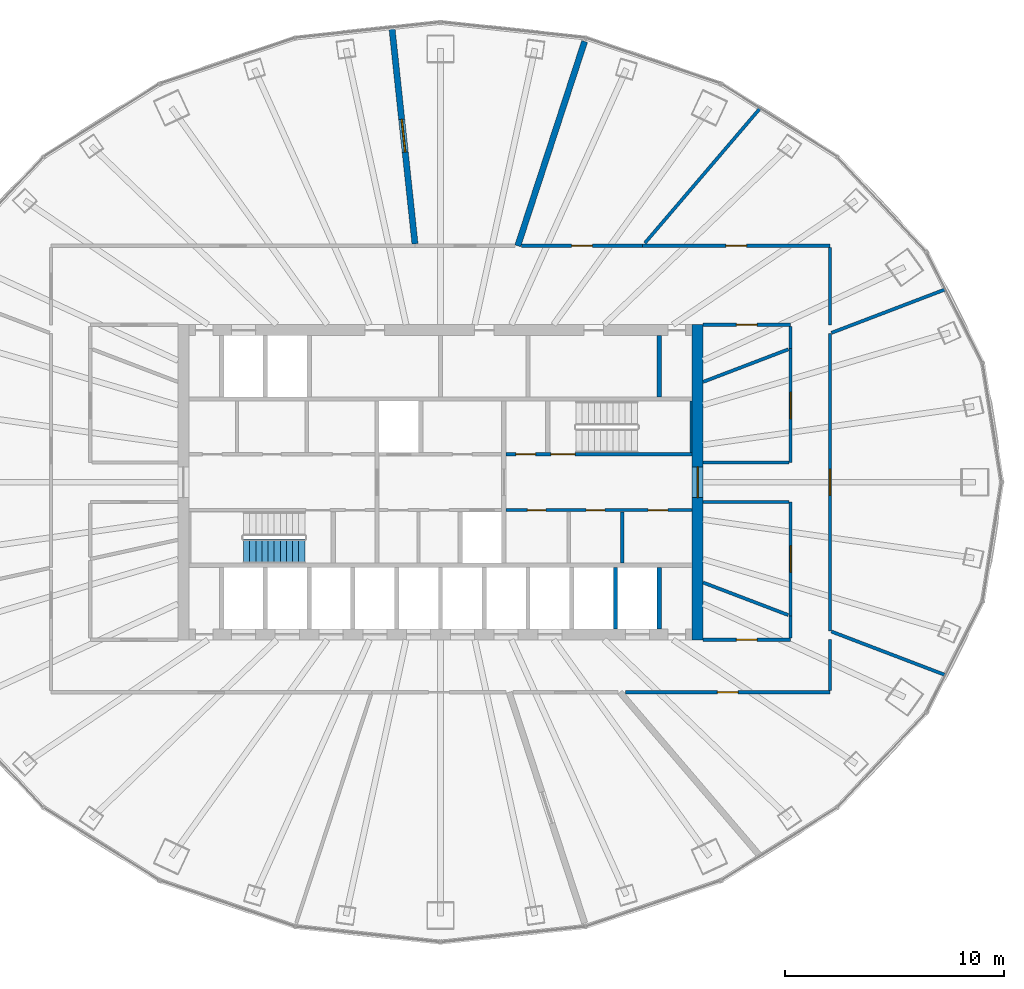
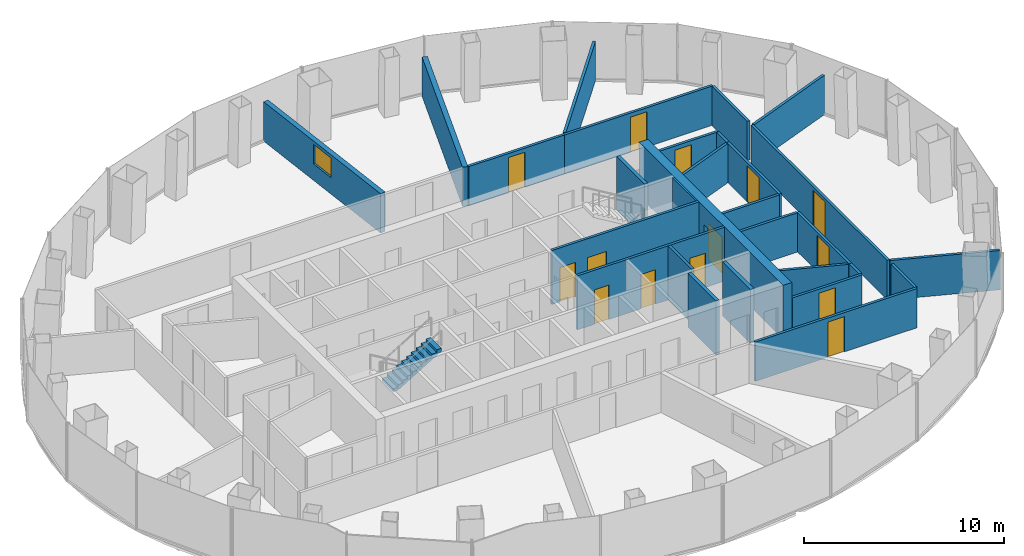
# One storey, part 10 of 12: 29 walls, 14 doors, 1 stair flight, 1 window, 15 openings, 1 element without a shape of its own.
"""IFC4 building model written with IfcOpenShell, lengths in metres."""

from ifc_helpers import new_model, si_unit, direction, frame, frame_2d, origin, place, context, subcontext, project, spatial, polyline, rectangle, outline, extrude, material, layer, layer_set, type_object, element, fill, aggregate, save


model = new_model("IFC4")

# Units and contexts
model_context = context("Model", 3, precision=1e-05, world=origin(), true_north=direction((0.0, 1.0)))
body_context = subcontext(model_context, "Body", "Model", "MODEL_VIEW")
ifc_project = project(units=[si_unit("LENGTHUNIT", "METRE"), si_unit("AREAUNIT", "SQUARE_METRE"), si_unit("VOLUMEUNIT", "CUBIC_METRE"), si_unit("PLANEANGLEUNIT", "RADIAN"), si_unit("MASSUNIT", "GRAM", prefix="KILO")], contexts=[model_context])

# Site, building, storey
site_placement = place(None, origin())
site = spatial("IfcSite", under=ifc_project, at=site_placement, CompositionType="ELEMENT")
building_placement = place(site_placement, origin())
building = spatial("IfcBuilding", under=site, at=building_placement, Name="Siaravel Broadcast Tower", CompositionType="ELEMENT")
storey_placement = place(building_placement, frame((0.0, 0.0, 115.60009765625)))
storey = spatial("IfcBuildingStorey", under=building, at=storey_placement, Name="L27", CompositionType="ELEMENT", Elevation=115.60009765625)

# Wall, opening, window
ifc_material_1 = material(Name="Double-leaf acoustic partition", Category="gypsum")
ifc_layer_1 = layer(ifc_material_1, 0.280029296875)
ifc_layer_set_1 = layer_set([ifc_layer_1], Name="Double-leaf acoustic partition")
wall_type_1 = type_object("IfcWallType", Name="Acoustic double-leaf wall 280", PredefinedType="PARTITIONING", material=ifc_layer_set_1)
wall_1_placement = place(storey_placement, frame((-2.218994140625, 20.774658203125, 0.0), z_axis=(0.0, 0.0, 1.0), x_axis=(0.106213943, -0.9943433, 0.0)))
wall_1 = element("IfcWall", 1, at=wall_1_placement, inside=storey, type_object=wall_type_1, Name="L27 partition 7", PredefinedType="PARTITIONING", context=body_context, shape_type="SweptSolid", body=[
    extrude(rectangle(XDim=9.93896484375, YDim=0.280029296875, at=frame_2d((4.969482421875, 0.0))), origin(), (0.0, 0.0, 1.0), 2.39990234375),
])
opening_1_placement = place(wall_1_placement, frame((4.219482421875, 0.0, 1.0)))
opening_1 = element("IfcOpeningElement", 2, at=opening_1_placement, cuts=wall_1, Name="Opening L27-W01", PredefinedType="OPENING", context=body_context, shape_type="SweptSolid", body=[
    extrude(rectangle(XDim=1.5, YDim=1.199951171875, at=frame_2d((0.75, 0.60009765625))), frame((0.0, 0.14990234375, 0.0), z_axis=(0.0, -1.0, 0.0), x_axis=(1.0, 0.0, 0.0)), (0.0, 0.0, 1.0), 0.300048828125),
])
ifc_material_2 = material(Name="Laminated acoustic glass", Category="glass")
window_type = type_object("IfcWindowType", Name="Studio viewing window 1500", PartitioningType="SINGLE_PANEL", PredefinedType="WINDOW", material=ifc_material_2)
window_placement = place(opening_1_placement, origin())
window = element("IfcWindow", 3, at=window_placement, inside=storey, type_object=window_type, Name="L27 viewing window to Viewing theatre", OverallHeight=1.199951171875, OverallWidth=1.5, PartitioningType="SINGLE_PANEL", PredefinedType="WINDOW", context=body_context, shape_type="SweptSolid", body=[
    extrude(rectangle(XDim=1.5, YDim=1.199951171875, at=frame_2d((0.75, 0.60009765625))), frame((0.0, 0.030029296875, 0.0), z_axis=(0.0, -1.0, 0.0), x_axis=(1.0, 0.0, 0.0)), (0.0, 0.0, 1.0), 0.06005859375),
])
fill(opening_1, window)

# Walls
wall_2_placement = place(storey_placement, frame((6.589599609375, 20.143798828125, 0.0), z_axis=(0.0, 0.0, 1.0), x_axis=(-0.310918337, -0.95043663, 0.0)))
element("IfcWall", 4, at=wall_2_placement, inside=storey, type_object=wall_type_1, Name="L27 partition 9", PredefinedType="PARTITIONING", context=body_context, shape_type="SweptSolid", body=[
    extrude(rectangle(XDim=9.8310546875, YDim=0.280029296875, at=frame_2d((4.91552734375, 0.0))), origin(), (0.0, 0.0, 1.0), 2.39990234375),
])
ifc_material_3 = material(Name="Concrete blockwork", Category="masonry")
ifc_layer_2 = layer(ifc_material_3, 0.14990234375)
ifc_layer_set_2 = layer_set([ifc_layer_2], Name="Concrete blockwork")
wall_type_2 = type_object("IfcWallType", Name="Core partition 150", PredefinedType="PARTITIONING", material=ifc_layer_set_2)
wall_3_placement = place(storey_placement, frame((8.30908203125, -3.699951171875, 0.0), z_axis=(0.0, 0.0, 1.0), x_axis=(0.0, 1.0, 0.0)))
element("IfcWall", 5, at=wall_3_placement, inside=storey, type_object=wall_type_2, Name="L27 core partition PSE1", PredefinedType="PARTITIONING", context=body_context, shape_type="SweptSolid", body=[
    extrude(rectangle(XDim=2.349853515625, YDim=0.14990234375, at=frame_2d((1.1748046875, 0.0))), origin(), (0.0, 0.0, 1.0), 3.2998046875),
])

# Wall, opening, door
ifc_material_4 = material(Name="Concrete C60/75", Category="concrete")
ifc_layer_3 = layer(ifc_material_4, 0.5)
ifc_layer_set_3 = layer_set([ifc_layer_3], Name="Concrete C60/75")
wall_type_3 = type_object("IfcWallType", Name="Core wall 500", PredefinedType="SHEAR", material=ifc_layer_set_3)
wall_4_placement = place(storey_placement, frame((11.75, -7.199951171875, 0.0), z_axis=(0.0, 0.0, 1.0), x_axis=(0.0, 1.0, 0.0)))
wall_4 = element("IfcWall", 6, at=wall_4_placement, inside=storey, type_object=wall_type_3, Name="L27 core wall OE", PredefinedType="SHEAR", context=body_context, shape_type="SweptSolid", body=[
    extrude(rectangle(XDim=14.39990234375, YDim=0.5, at=frame_2d((7.199951171875, 0.0))), origin(), (0.0, 0.0, 1.0), 3.2998046875),
])
opening_2_placement = place(wall_4_placement, frame((6.5, 0.0, 0.0)))
opening_2 = element("IfcOpeningElement", 7, at=opening_2_placement, cuts=wall_4, Name="Opening L27-DX-E", PredefinedType="OPENING", context=body_context, shape_type="SweptSolid", body=[
    extrude(rectangle(XDim=1.39990234375, YDim=2.199951171875, at=frame_2d((0.699951171875, 1.10009765625))), frame((0.0, 0.260009765625, 0.0), z_axis=(0.0, -1.0, 0.0), x_axis=(1.0, 0.0, 0.0)), (0.0, 0.0, 1.0), 0.52001953125),
])
ifc_material_5 = material(Name="Steel", Category="steel")
door_type_1 = type_object("IfcDoorType", Name="Core exit door 1400", OperationType="DOUBLE_DOOR_SINGLE_SWING", PredefinedType="DOOR", material=ifc_material_5)
door_1_placement = place(opening_2_placement, origin())
door_1 = element("IfcDoor", 8, at=door_1_placement, inside=storey, type_object=door_type_1, Name="L27 door DX-E", OperationType="DOUBLE_DOOR_SINGLE_SWING", OverallHeight=2.199951171875, OverallWidth=1.39990234375, PredefinedType="DOOR", context=body_context, shape_type="SweptSolid", body=[
    extrude(rectangle(XDim=1.39990234375, YDim=2.199951171875, at=frame_2d((0.699951171875, 1.10009765625))), frame((0.0, 0.02490234375, 0.0), z_axis=(0.0, -1.0, 0.0), x_axis=(1.0, 0.0, 0.0)), (0.0, 0.0, 1.0), 0.050048828125),
])
fill(opening_2, door_1)

# Wall, openings, doors
ifc_material_6 = material(Name="Gypsum board partition", Category="gypsum")
ifc_layer_4 = layer(ifc_material_6, 0.14990234375)
ifc_layer_set_4 = layer_set([ifc_layer_4], Name="Gypsum board partition")
wall_type_4 = type_object("IfcWallType", Name="Corridor wall 150", PredefinedType="PARTITIONING", material=ifc_layer_set_4)
wall_5_placement = place(storey_placement, frame((3.0, -1.27490234375, 0.0), z_axis=(0.0, 0.0, 1.0), x_axis=(1.0, 0.0, 0.0)))
wall_5 = element("IfcWall", 9, at=wall_5_placement, inside=storey, type_object=wall_type_4, Name="L27 core partition CSE", PredefinedType="PARTITIONING", context=body_context, shape_type="SweptSolid", body=[
    extrude(rectangle(XDim=8.5, YDim=0.14990234375, at=frame_2d((4.25, 0.0))), origin(), (0.0, 0.0, 1.0), 3.2998046875),
])
opening_3_placement = place(wall_5_placement, frame((0.968994140625, 0.0, 0.0)))
opening_3 = element("IfcOpeningElement", 10, at=opening_3_placement, cuts=wall_5, Name="Opening L27-DSE0", PredefinedType="OPENING", context=body_context, shape_type="SweptSolid", body=[
    extrude(rectangle(XDim=0.85009765625, YDim=2.10009765625, at=frame_2d((0.425048828125, 1.050048828125))), frame((0.0, 0.0849609375, 0.0), z_axis=(0.0, -1.0, 0.0), x_axis=(1.0, 0.0, 0.0)), (0.0, 0.0, 1.0), 0.169921875),
])
opening_4_placement = place(wall_5_placement, frame((3.660888671875, 0.0, 0.0)))
opening_4 = element("IfcOpeningElement", 11, at=opening_4_placement, cuts=wall_5, Name="Opening L27-DSE1", PredefinedType="OPENING", context=body_context, shape_type="SweptSolid", body=[
    extrude(rectangle(XDim=0.85009765625, YDim=2.10009765625, at=frame_2d((0.425048828125, 1.050048828125))), frame((0.0, 0.0849609375, 0.0), z_axis=(0.0, -1.0, 0.0), x_axis=(1.0, 0.0, 0.0)), (0.0, 0.0, 1.0), 0.169921875),
])
opening_5_placement = place(wall_5_placement, frame((6.491943359375, 0.0, 0.0)))
opening_5 = element("IfcOpeningElement", 12, at=opening_5_placement, cuts=wall_5, Name="Opening L27-DSE2", PredefinedType="OPENING", context=body_context, shape_type="SweptSolid", body=[
    extrude(rectangle(XDim=0.89990234375, YDim=2.10009765625, at=frame_2d((0.449951171875, 1.050048828125))), frame((0.0, 0.0849609375, 0.0), z_axis=(0.0, -1.0, 0.0), x_axis=(1.0, 0.0, 0.0)), (0.0, 0.0, 1.0), 0.169921875),
])
ifc_material_7 = material(Name="Timber veneer", Category="wood")
door_type_2 = type_object("IfcDoorType", Name="Core room door 900", OperationType="SINGLE_SWING_LEFT", PredefinedType="DOOR", material=ifc_material_7)
door_2_placement = place(opening_5_placement, origin())
door_2 = element("IfcDoor", 13, at=door_2_placement, inside=storey, type_object=door_type_2, Name="L27 door DSE2", OperationType="SINGLE_SWING_LEFT", OverallHeight=2.10009765625, OverallWidth=0.89990234375, PredefinedType="DOOR", context=body_context, shape_type="SweptSolid", body=[
    extrude(rectangle(XDim=0.89990234375, YDim=2.10009765625, at=frame_2d((0.449951171875, 1.050048828125))), frame((0.0, 0.02490234375, 0.0), z_axis=(0.0, -1.0, 0.0), x_axis=(1.0, 0.0, 0.0)), (0.0, 0.0, 1.0), 0.050048828125),
])
fill(opening_5, door_2)
door_type_3 = type_object("IfcDoorType", Name="Core toilet door 850", OperationType="SINGLE_SWING_LEFT", PredefinedType="DOOR", material=ifc_material_7)
door_3_placement = place(opening_3_placement, origin())
door_3 = element("IfcDoor", 14, at=door_3_placement, inside=storey, type_object=door_type_3, Name="L27 door DSE0", OperationType="SINGLE_SWING_LEFT", OverallHeight=2.10009765625, OverallWidth=0.85009765625, PredefinedType="DOOR", context=body_context, shape_type="SweptSolid", body=[
    extrude(rectangle(XDim=0.85009765625, YDim=2.10009765625, at=frame_2d((0.425048828125, 1.050048828125))), frame((0.0, 0.02490234375, 0.0), z_axis=(0.0, -1.0, 0.0), x_axis=(1.0, 0.0, 0.0)), (0.0, 0.0, 1.0), 0.050048828125),
])
fill(opening_3, door_3)
door_4_placement = place(opening_4_placement, origin())
door_4 = element("IfcDoor", 15, at=door_4_placement, inside=storey, type_object=door_type_3, Name="L27 door DSE1", OperationType="SINGLE_SWING_LEFT", OverallHeight=2.10009765625, OverallWidth=0.85009765625, PredefinedType="DOOR", context=body_context, shape_type="SweptSolid", body=[
    extrude(rectangle(XDim=0.85009765625, YDim=2.10009765625, at=frame_2d((0.425048828125, 1.050048828125))), frame((0.0, 0.02490234375, 0.0), z_axis=(0.0, -1.0, 0.0), x_axis=(1.0, 0.0, 0.0)), (0.0, 0.0, 1.0), 0.050048828125),
])
fill(opening_4, door_4)

# Wall, opening, door
wall_6_placement = place(storey_placement, frame((17.800048828125, -6.798828125, 0.0), z_axis=(0.0, 0.0, 1.0), x_axis=(0.0, 1.0, 0.0)))
wall_6 = element("IfcWall", 16, at=wall_6_placement, inside=storey, type_object=wall_type_4, Name="L27 partition 3", PredefinedType="PARTITIONING", context=body_context, shape_type="SweptSolid", body=[
    extrude(rectangle(XDim=13.59765625, YDim=0.14990234375, at=frame_2d((6.798828125, 0.0))), origin(), (0.0, 0.0, 1.0), 2.39990234375),
])
opening_6_placement = place(wall_6_placement, frame((6.19873046875, 0.0, 0.0)))
opening_6 = element("IfcOpeningElement", 17, at=opening_6_placement, cuts=wall_6, Name="Opening L27-005", PredefinedType="OPENING", context=body_context, shape_type="SweptSolid", body=[
    extrude(rectangle(XDim=1.199951171875, YDim=2.199951171875, at=frame_2d((0.60009765625, 1.10009765625))), frame((0.0, 0.0849609375, 0.0), z_axis=(0.0, -1.0, 0.0), x_axis=(1.0, 0.0, 0.0)), (0.0, 0.0, 1.0), 0.169921875),
])
door_type_4 = type_object("IfcDoorType", Name="Office double door 1200", OperationType="DOUBLE_DOOR_SINGLE_SWING", PredefinedType="DOOR", material=ifc_material_7)
door_5_placement = place(opening_6_placement, origin())
door_5 = element("IfcDoor", 18, at=door_5_placement, inside=storey, type_object=door_type_4, Name="L27 door to Open plan production office", OperationType="DOUBLE_DOOR_SINGLE_SWING", OverallHeight=2.199951171875, OverallWidth=1.199951171875, PredefinedType="DOOR", context=body_context, shape_type="SweptSolid", body=[
    extrude(rectangle(XDim=1.199951171875, YDim=2.199951171875, at=frame_2d((0.60009765625, 1.10009765625))), frame((0.0, 0.02490234375, 0.0), z_axis=(0.0, -1.0, 0.0), x_axis=(1.0, 0.0, 0.0)), (0.0, 0.0, 1.0), 0.050048828125),
])
fill(opening_6, door_5)

wall_7_placement = place(storey_placement, frame((8.456787109375, -9.60009765625, 0.0), z_axis=(0.0, 0.0, 1.0), x_axis=(1.0, 0.0, 0.0)))
wall_7 = element("IfcWall", 19, at=wall_7_placement, inside=storey, type_object=wall_type_4, Name="L27 partition 10", PredefinedType="PARTITIONING", context=body_context, shape_type="SweptSolid", body=[
    extrude(rectangle(XDim=9.34326171875, YDim=0.14990234375, at=frame_2d((4.671630859375, 0.0))), origin(), (0.0, 0.0, 1.0), 2.39990234375),
])
opening_7_placement = place(wall_7_placement, frame((4.196533203125, 0.0, 0.0)))
opening_7 = element("IfcOpeningElement", 20, at=opening_7_placement, cuts=wall_7, Name="Opening L27-002", PredefinedType="OPENING", context=body_context, shape_type="SweptSolid", body=[
    extrude(rectangle(XDim=0.949951171875, YDim=2.14990234375, at=frame_2d((0.47509765625, 1.074951171875))), frame((0.0, 0.0849609375, 0.0), z_axis=(0.0, -1.0, 0.0), x_axis=(1.0, 0.0, 0.0)), (0.0, 0.0, 1.0), 0.169921875),
])
door_type_5 = type_object("IfcDoorType", Name="Office door 950", OperationType="SINGLE_SWING_LEFT", PredefinedType="DOOR", material=ifc_material_7)
door_6_placement = place(opening_7_placement, origin())
door_6 = element("IfcDoor", 21, at=door_6_placement, inside=storey, type_object=door_type_5, Name="L27 door to Design studio", OperationType="SINGLE_SWING_RIGHT", OverallHeight=2.14990234375, OverallWidth=0.949951171875, PredefinedType="DOOR", context=body_context, shape_type="SweptSolid", body=[
    extrude(rectangle(XDim=0.949951171875, YDim=2.14990234375, at=frame_2d((0.47509765625, 1.074951171875))), frame((0.0, 0.02490234375, 0.0), z_axis=(0.0, -1.0, 0.0), x_axis=(1.0, 0.0, 0.0)), (0.0, 0.0, 1.0), 0.050048828125),
])
fill(opening_7, door_6)

wall_8_placement = place(storey_placement, frame((17.800048828125, 10.800048828125, 0.0), z_axis=(0.0, 0.0, 1.0), x_axis=(-1.0, 0.0, 0.0)))
wall_8 = element("IfcWall", 22, at=wall_8_placement, inside=storey, type_object=wall_type_4, Name="L27 partition 11", PredefinedType="PARTITIONING", context=body_context, shape_type="SweptSolid", body=[
    extrude(rectangle(XDim=8.56787109375, YDim=0.14990234375, at=frame_2d((4.283935546875, 0.0))), origin(), (0.0, 0.0, 1.0), 2.39990234375),
])
opening_8_placement = place(wall_8_placement, frame((3.808837890625, 0.0, 0.0)))
opening_8 = element("IfcOpeningElement", 23, at=opening_8_placement, cuts=wall_8, Name="Opening L27-007", PredefinedType="OPENING", context=body_context, shape_type="SweptSolid", body=[
    extrude(rectangle(XDim=0.949951171875, YDim=2.14990234375, at=frame_2d((0.47509765625, 1.074951171875))), frame((0.0, 0.0849609375, 0.0), z_axis=(0.0, -1.0, 0.0), x_axis=(1.0, 0.0, 0.0)), (0.0, 0.0, 1.0), 0.169921875),
])
door_7_placement = place(opening_8_placement, origin())
door_7 = element("IfcDoor", 24, at=door_7_placement, inside=storey, type_object=door_type_5, Name="L27 door to Design studio", OperationType="SINGLE_SWING_LEFT", OverallHeight=2.14990234375, OverallWidth=0.949951171875, PredefinedType="DOOR", context=body_context, shape_type="SweptSolid", body=[
    extrude(rectangle(XDim=0.949951171875, YDim=2.14990234375, at=frame_2d((0.47509765625, 1.074951171875))), frame((0.0, 0.02490234375, 0.0), z_axis=(0.0, -1.0, 0.0), x_axis=(1.0, 0.0, 0.0)), (0.0, 0.0, 1.0), 0.050048828125),
])
fill(opening_8, door_7)

wall_9_placement = place(storey_placement, frame((9.231201171875, 10.800048828125, 0.0), z_axis=(0.0, 0.0, 1.0), x_axis=(-1.0, 0.0, 0.0)))
wall_9 = element("IfcWall", 25, at=wall_9_placement, inside=storey, type_object=wall_type_4, Name="L27 partition 15", PredefinedType="PARTITIONING", context=body_context, shape_type="SweptSolid", body=[
    extrude(rectangle(XDim=5.5244140625, YDim=0.14990234375, at=frame_2d((2.76220703125, 0.0))), origin(), (0.0, 0.0, 1.0), 2.39990234375),
])
opening_9_placement = place(wall_9_placement, frame((2.287109375, 0.0, 0.0)))
opening_9 = element("IfcOpeningElement", 26, at=opening_9_placement, cuts=wall_9, Name="Opening L27-008", PredefinedType="OPENING", context=body_context, shape_type="SweptSolid", body=[
    extrude(rectangle(XDim=0.949951171875, YDim=2.14990234375, at=frame_2d((0.47509765625, 1.074951171875))), frame((0.0, 0.0849609375, 0.0), z_axis=(0.0, -1.0, 0.0), x_axis=(1.0, 0.0, 0.0)), (0.0, 0.0, 1.0), 0.169921875),
])
door_8_placement = place(opening_9_placement, origin())
door_8 = element("IfcDoor", 27, at=door_8_placement, inside=storey, type_object=door_type_5, Name="L27 door to Production office", OperationType="SINGLE_SWING_RIGHT", OverallHeight=2.14990234375, OverallWidth=0.949951171875, PredefinedType="DOOR", context=body_context, shape_type="SweptSolid", body=[
    extrude(rectangle(XDim=0.949951171875, YDim=2.14990234375, at=frame_2d((0.47509765625, 1.074951171875))), frame((0.0, 0.02490234375, 0.0), z_axis=(0.0, -1.0, 0.0), x_axis=(1.0, 0.0, 0.0)), (0.0, 0.0, 1.0), 0.050048828125),
])
fill(opening_9, door_8)

wall_10_placement = place(storey_placement, frame((16.0, -0.89990234375, 0.0), z_axis=(0.0, 0.0, 1.0), x_axis=(0.0, -1.0, 0.0)))
wall_10 = element("IfcWall", 28, at=wall_10_placement, inside=storey, type_object=wall_type_4, Name="L27 partition 20", PredefinedType="PARTITIONING", context=body_context, shape_type="SweptSolid", body=[
    extrude(rectangle(XDim=5.21142578125, YDim=0.14990234375, at=frame_2d((2.605712890625, 0.0))), origin(), (0.0, 0.0, 1.0), 2.39990234375),
])
opening_10_placement = place(wall_10_placement, frame((2.005615234375, 0.0, 0.0)))
opening_10 = element("IfcOpeningElement", 29, at=opening_10_placement, cuts=wall_10, Name="Opening L27-003", PredefinedType="OPENING", context=body_context, shape_type="SweptSolid", body=[
    extrude(rectangle(XDim=1.199951171875, YDim=2.199951171875, at=frame_2d((0.60009765625, 1.10009765625))), frame((0.0, 0.0849609375, 0.0), z_axis=(0.0, -1.0, 0.0), x_axis=(1.0, 0.0, 0.0)), (0.0, 0.0, 1.0), 0.169921875),
])
door_9_placement = place(opening_10_placement, origin())
door_9 = element("IfcDoor", 30, at=door_9_placement, inside=storey, type_object=door_type_4, Name="L27 door to Open plan production office", OperationType="DOUBLE_DOOR_SINGLE_SWING", OverallHeight=2.199951171875, OverallWidth=1.199951171875, PredefinedType="DOOR", context=body_context, shape_type="SweptSolid", body=[
    extrude(rectangle(XDim=1.199951171875, YDim=2.199951171875, at=frame_2d((0.60009765625, 1.10009765625))), frame((0.0, 0.02490234375, 0.0), z_axis=(0.0, -1.0, 0.0), x_axis=(1.0, 0.0, 0.0)), (0.0, 0.0, 1.0), 0.050048828125),
])
fill(opening_10, door_9)

wall_11_placement = place(storey_placement, frame((16.0, 6.111328125, 0.0), z_axis=(0.0, 0.0, 1.0), x_axis=(0.0, -1.0, 0.0)))
wall_11 = element("IfcWall", 31, at=wall_11_placement, inside=storey, type_object=wall_type_4, Name="L27 partition 21", PredefinedType="PARTITIONING", context=body_context, shape_type="SweptSolid", body=[
    extrude(rectangle(XDim=5.21142578125, YDim=0.14990234375, at=frame_2d((2.605712890625, 0.0))), origin(), (0.0, 0.0, 1.0), 2.39990234375),
])
opening_11_placement = place(wall_11_placement, frame((2.005615234375, 0.0, 0.0)))
opening_11 = element("IfcOpeningElement", 32, at=opening_11_placement, cuts=wall_11, Name="Opening L27-004", PredefinedType="OPENING", context=body_context, shape_type="SweptSolid", body=[
    extrude(rectangle(XDim=1.199951171875, YDim=2.199951171875, at=frame_2d((0.60009765625, 1.10009765625))), frame((0.0, 0.0849609375, 0.0), z_axis=(0.0, -1.0, 0.0), x_axis=(1.0, 0.0, 0.0)), (0.0, 0.0, 1.0), 0.169921875),
])
door_10_placement = place(opening_11_placement, origin())
door_10 = element("IfcDoor", 33, at=door_10_placement, inside=storey, type_object=door_type_4, Name="L27 door to Open plan production office", OperationType="DOUBLE_DOOR_SINGLE_SWING", OverallHeight=2.199951171875, OverallWidth=1.199951171875, PredefinedType="DOOR", context=body_context, shape_type="SweptSolid", body=[
    extrude(rectangle(XDim=1.199951171875, YDim=2.199951171875, at=frame_2d((0.60009765625, 1.10009765625))), frame((0.0, 0.02490234375, 0.0), z_axis=(0.0, -1.0, 0.0), x_axis=(1.0, 0.0, 0.0)), (0.0, 0.0, 1.0), 0.050048828125),
])
fill(opening_11, door_10)

# Wall
wall_12_placement = place(storey_placement, frame((12.0, -0.89990234375, 0.0), z_axis=(0.0, 0.0, 1.0), x_axis=(1.0, 0.0, 0.0)))
element("IfcWall", 34, at=wall_12_placement, inside=storey, type_object=wall_type_4, Name="L27 partition 32", PredefinedType="PARTITIONING", context=body_context, shape_type="SweptSolid", body=[
    extrude(rectangle(XDim=3.923095703125, YDim=0.14990234375, at=frame_2d((1.96142578125, 0.0))), origin(), (0.0, 0.0, 1.0), 2.39990234375),
])

# Wall, opening, door
wall_13_placement = place(storey_placement, frame((12.0, 7.199951171875, 0.0), z_axis=(0.0, 0.0, 1.0), x_axis=(1.0, 0.0, 0.0)))
wall_13 = element("IfcWall", 35, at=wall_13_placement, inside=storey, type_object=wall_type_4, Name="L27 partition 33", PredefinedType="PARTITIONING", context=body_context, shape_type="SweptSolid", body=[
    extrude(rectangle(XDim=4.0, YDim=0.14990234375, at=frame_2d((2.0, 0.0))), origin(), (0.0, 0.0, 1.0), 2.39990234375),
])
opening_12_placement = place(wall_13_placement, frame((1.52490234375, 0.0, 0.0)))
opening_12 = element("IfcOpeningElement", 36, at=opening_12_placement, cuts=wall_13, Name="Opening L27-006", PredefinedType="OPENING", context=body_context, shape_type="SweptSolid", body=[
    extrude(rectangle(XDim=0.949951171875, YDim=2.14990234375, at=frame_2d((0.47509765625, 1.074951171875))), frame((0.0, 0.0849609375, 0.0), z_axis=(0.0, -1.0, 0.0), x_axis=(1.0, 0.0, 0.0)), (0.0, 0.0, 1.0), 0.169921875),
])
door_11_placement = place(opening_12_placement, origin())
door_11 = element("IfcDoor", 37, at=door_11_placement, inside=storey, type_object=door_type_5, Name="L27 door to Design studio", OperationType="SINGLE_SWING_RIGHT", OverallHeight=2.14990234375, OverallWidth=0.949951171875, PredefinedType="DOOR", context=body_context, shape_type="SweptSolid", body=[
    extrude(rectangle(XDim=0.949951171875, YDim=2.14990234375, at=frame_2d((0.47509765625, 1.074951171875))), frame((0.0, 0.02490234375, 0.0), z_axis=(0.0, -1.0, 0.0), x_axis=(1.0, 0.0, 0.0)), (0.0, 0.0, 1.0), 0.050048828125),
])
fill(opening_12, door_11)

wall_14_placement = place(storey_placement, frame((16.0, -7.199951171875, 0.0), z_axis=(0.0, 0.0, 1.0), x_axis=(-1.0, 0.0, 0.0)))
wall_14 = element("IfcWall", 38, at=wall_14_placement, inside=storey, type_object=wall_type_4, Name="L27 partition 34", PredefinedType="PARTITIONING", context=body_context, shape_type="SweptSolid", body=[
    extrude(rectangle(XDim=4.0, YDim=0.14990234375, at=frame_2d((2.0, 0.0))), origin(), (0.0, 0.0, 1.0), 2.39990234375),
])
opening_13_placement = place(wall_14_placement, frame((1.52490234375, 0.0, 0.0)))
opening_13 = element("IfcOpeningElement", 39, at=opening_13_placement, cuts=wall_14, Name="Opening L27-001", PredefinedType="OPENING", context=body_context, shape_type="SweptSolid", body=[
    extrude(rectangle(XDim=0.949951171875, YDim=2.14990234375, at=frame_2d((0.47509765625, 1.074951171875))), frame((0.0, 0.0849609375, 0.0), z_axis=(0.0, -1.0, 0.0), x_axis=(1.0, 0.0, 0.0)), (0.0, 0.0, 1.0), 0.169921875),
])
door_12_placement = place(opening_13_placement, origin())
door_12 = element("IfcDoor", 40, at=door_12_placement, inside=storey, type_object=door_type_5, Name="L27 door to Design studio", OperationType="SINGLE_SWING_LEFT", OverallHeight=2.14990234375, OverallWidth=0.949951171875, PredefinedType="DOOR", context=body_context, shape_type="SweptSolid", body=[
    extrude(rectangle(XDim=0.949951171875, YDim=2.14990234375, at=frame_2d((0.47509765625, 1.074951171875))), frame((0.0, 0.02490234375, 0.0), z_axis=(0.0, -1.0, 0.0), x_axis=(1.0, 0.0, 0.0)), (0.0, 0.0, 1.0), 0.050048828125),
])
fill(opening_13, door_12)

# Walls
wall_15_placement = place(storey_placement, frame((15.923095703125, 0.89990234375, 0.0), z_axis=(0.0, 0.0, 1.0), x_axis=(-1.0, 0.0, 0.0)))
element("IfcWall", 41, at=wall_15_placement, inside=storey, type_object=wall_type_4, Name="L27 partition 35", PredefinedType="PARTITIONING", context=body_context, shape_type="SweptSolid", body=[
    extrude(rectangle(XDim=3.923095703125, YDim=0.14990234375, at=frame_2d((1.96142578125, 0.0))), origin(), (0.0, 0.0, 1.0), 2.39990234375),
])
wall_16_placement = place(storey_placement, frame((17.800048828125, 7.18798828125, 0.0), z_axis=(0.0, 0.0, 1.0), x_axis=(0.0, 1.0, 0.0)))
element("IfcWall", 42, at=wall_16_placement, inside=storey, type_object=wall_type_4, Name="L27 partition 38", PredefinedType="PARTITIONING", context=body_context, shape_type="SweptSolid", body=[
    extrude(rectangle(XDim=3.534912109375, YDim=0.14990234375, at=frame_2d((1.767578125, 0.0))), origin(), (0.0, 0.0, 1.0), 2.39990234375),
])
wall_17_placement = place(storey_placement, frame((17.800048828125, -9.52294921875, 0.0), z_axis=(0.0, 0.0, 1.0), x_axis=(0.0, 1.0, 0.0)))
element("IfcWall", 43, at=wall_17_placement, inside=storey, type_object=wall_type_4, Name="L27 partition 42", PredefinedType="PARTITIONING", context=body_context, shape_type="SweptSolid", body=[
    extrude(rectangle(XDim=2.3349609375, YDim=0.14990234375, at=frame_2d((1.16748046875, 0.0))), origin(), (0.0, 0.0, 1.0), 2.39990234375),
])
for number, where, z_axis, x_axis, name in (
    (44, (16.0, -6.1123046875, 0.0), (0.0, 0.0, 1.0), (0.0, -1.0, 0.0), "L27 partition 44"),
    (45, (16.0, 7.123046875, 0.0), (0.0, 0.0, 1.0), (0.0, -1.0, 0.0), "L27 partition 45"),
):
    element("IfcWall", number, at=place(storey_placement, frame(where, z_axis=z_axis, x_axis=x_axis)), inside=storey, type_object=wall_type_4, Name=name, PredefinedType="PARTITIONING", context=body_context, shape_type="SweptSolid", body=[
        extrude(rectangle(XDim=1.0107421875, YDim=0.14990234375, at=frame_2d((0.50537109375, 0.0))), origin(), (0.0, 0.0, 1.0), 2.39990234375),
    ])
ifc_layer_5 = layer(ifc_material_6, 0.14990234375)
ifc_layer_set_5 = layer_set([ifc_layer_5], Name="Gypsum board partition")
wall_type_5 = type_object("IfcWallType", Name="Room partition 150", PredefinedType="PARTITIONING", material=ifc_layer_set_5)
wall_18_placement = place(storey_placement, frame((14.606689453125, 17.087158203125, 0.0), z_axis=(0.0, 0.0, 1.0), x_axis=(-0.649776378, -0.760125423, 0.0)))
element("IfcWall", 46, at=wall_18_placement, inside=storey, type_object=wall_type_5, Name="L27 partition 12", PredefinedType="PARTITIONING", context=body_context, shape_type="SweptSolid", body=[
    extrude(rectangle(XDim=8.1064453125, YDim=0.14990234375, at=frame_2d((4.05322265625, 0.0))), origin(), (0.0, 0.0, 1.0), 2.39990234375),
])
wall_19_placement = place(storey_placement, frame((23.09375, -8.82080078125, 0.0), z_axis=(0.0, 0.0, 1.0), x_axis=(-0.934174226, 0.356817201, 0.0)))
element("IfcWall", 47, at=wall_19_placement, inside=storey, type_object=wall_type_5, Name="L27 partition 17", PredefinedType="PARTITIONING", context=body_context, shape_type="SweptSolid", body=[
    extrude(rectangle(XDim=5.5947265625, YDim=0.14990234375, at=frame_2d((2.79736328125, 0.0))), origin(), (0.0, 0.0, 1.0), 2.39990234375),
])
wall_20_placement = place(storey_placement, frame((23.092041015625, 8.8203125, 0.0), z_axis=(0.0, 0.0, 1.0), x_axis=(-0.934164423, -0.356842865, 0.0)))
element("IfcWall", 48, at=wall_20_placement, inside=storey, type_object=wall_type_5, Name="L27 partition 18", PredefinedType="PARTITIONING", context=body_context, shape_type="SweptSolid", body=[
    extrude(rectangle(XDim=5.593017578125, YDim=0.14990234375, at=frame_2d((2.79638671875, 0.0))), origin(), (0.0, 0.0, 1.0), 2.39990234375),
])
for number, where, z_axis, x_axis, name in (
    (49, (15.896484375, -6.07177734375, 0.0), (0.0, 0.0, 1.0), (-0.934175823, 0.356813021, 0.0), "L27 partition 25"),
    (50, (15.896484375, 6.07177734375, 0.0), (0.0, 0.0, 1.0), (-0.934175823, -0.356813021, 0.0), "L27 partition 26"),
):
    element("IfcWall", number, at=place(storey_placement, frame(where, z_axis=z_axis, x_axis=x_axis)), inside=storey, type_object=wall_type_5, Name=name, PredefinedType="PARTITIONING", context=body_context, shape_type="SweptSolid", body=[
        extrude(rectangle(XDim=4.171142578125, YDim=0.14990234375, at=frame_2d((2.08544921875, 0.0))), origin(), (0.0, 0.0, 1.0), 2.39990234375),
    ])
ifc_layer_6 = layer(ifc_material_4, 0.10009765625)
ifc_layer_set_6 = layer_set([ifc_layer_6], Name="Concrete C60/75")
wall_type_6 = type_object("IfcWallType", Name="Shaft wall 100", PredefinedType="SHEAR", material=ifc_layer_set_6)
wall_21_placement = place(storey_placement, frame((11.449951171875, 1.35009765625, 0.0), z_axis=(0.0, 0.0, 1.0), x_axis=(0.0, 1.0, 0.0)))
element("IfcWall", 51, at=wall_21_placement, inside=storey, type_object=wall_type_6, Name="L27 core wall ST2E", PredefinedType="SHEAR", context=body_context, shape_type="SweptSolid", body=[
    extrude(rectangle(XDim=2.349853515625, YDim=0.10009765625, at=frame_2d((1.1748046875, 0.0))), origin(), (0.0, 0.0, 1.0), 3.2998046875),
])

# Wall, openings, doors
ifc_layer_7 = layer(ifc_material_4, 0.14990234375)
ifc_layer_set_7 = layer_set([ifc_layer_7], Name="Concrete C60/75")
wall_type_7 = type_object("IfcWallType", Name="Shaft wall 150", PredefinedType="SHEAR", material=ifc_layer_set_7)
wall_22_placement = place(storey_placement, frame((3.0, 1.27490234375, 0.0), z_axis=(0.0, 0.0, 1.0), x_axis=(1.0, 0.0, 0.0)))
wall_22 = element("IfcWall", 52, at=wall_22_placement, inside=storey, type_object=wall_type_7, Name="L27 core wall CNE", PredefinedType="SHEAR", context=body_context, shape_type="SweptSolid", body=[
    extrude(rectangle(XDim=8.5, YDim=0.14990234375, at=frame_2d((4.25, 0.0))), origin(), (0.0, 0.0, 1.0), 3.2998046875),
])
opening_14_placement = place(wall_22_placement, frame((2.050048828125, 0.0, 0.0)))
opening_14 = element("IfcOpeningElement", 53, at=opening_14_placement, cuts=wall_22, Name="Opening L27-DS-2", PredefinedType="OPENING", context=body_context, shape_type="SweptSolid", body=[
    extrude(rectangle(XDim=1.10009765625, YDim=2.14990234375, at=frame_2d((0.550048828125, 1.074951171875))), frame((0.0, 0.0849609375, 0.0), z_axis=(0.0, -1.0, 0.0), x_axis=(1.0, 0.0, 0.0)), (0.0, 0.0, 1.0), 0.169921875),
])
opening_15_placement = place(wall_22_placement, frame((0.449951171875, 0.0, 0.0)))
opening_15 = element("IfcOpeningElement", 54, at=opening_15_placement, cuts=wall_22, Name="Opening L27-DNE0", PredefinedType="OPENING", context=body_context, shape_type="SweptSolid", body=[
    extrude(rectangle(XDim=0.89990234375, YDim=2.10009765625, at=frame_2d((0.449951171875, 1.050048828125))), frame((0.0, 0.0849609375, 0.0), z_axis=(0.0, -1.0, 0.0), x_axis=(1.0, 0.0, 0.0)), (0.0, 0.0, 1.0), 0.169921875),
])
door_13_placement = place(opening_15_placement, origin())
door_13 = element("IfcDoor", 55, at=door_13_placement, inside=storey, type_object=door_type_2, Name="L27 door DNE0", OperationType="SINGLE_SWING_LEFT", OverallHeight=2.10009765625, OverallWidth=0.89990234375, PredefinedType="DOOR", context=body_context, shape_type="SweptSolid", body=[
    extrude(rectangle(XDim=0.89990234375, YDim=2.10009765625, at=frame_2d((0.449951171875, 1.050048828125))), frame((0.0, 0.02490234375, 0.0), z_axis=(0.0, -1.0, 0.0), x_axis=(1.0, 0.0, 0.0)), (0.0, 0.0, 1.0), 0.050048828125),
])
fill(opening_15, door_13)
door_type_6 = type_object("IfcDoorType", Name="Stair door 1100", OperationType="SINGLE_SWING_LEFT", PredefinedType="DOOR", material=ifc_material_5)
door_14_placement = place(opening_14_placement, origin())
door_14 = element("IfcDoor", 56, at=door_14_placement, inside=storey, type_object=door_type_6, Name="L27 door DS-2", OperationType="SINGLE_SWING_LEFT", OverallHeight=2.14990234375, OverallWidth=1.10009765625, PredefinedType="DOOR", context=body_context, shape_type="SweptSolid", body=[
    extrude(rectangle(XDim=1.10009765625, YDim=2.14990234375, at=frame_2d((0.550048828125, 1.074951171875))), frame((0.0, 0.02490234375, 0.0), z_axis=(0.0, -1.0, 0.0), x_axis=(1.0, 0.0, 0.0)), (0.0, 0.0, 1.0), 0.050048828125),
])
fill(opening_14, door_14)

# Walls
ifc_layer_8 = layer(ifc_material_4, 0.199951171875)
ifc_layer_set_8 = layer_set([ifc_layer_8], Name="Concrete C60/75")
wall_type_8 = type_object("IfcWallType", Name="Shaft wall 200", PredefinedType="SHEAR", material=ifc_layer_set_8)
for number, where, z_axis, x_axis, name in (
    (57, (8.0, -6.699951171875, 0.0), (0.0, 0.0, 1.0), (0.0, 1.0, 0.0), "L27 core wall SWS9"),
    (58, (10.0, -6.699951171875, 0.0), (0.0, 0.0, 1.0), (0.0, 1.0, 0.0), "L27 core wall SWS10"),
    (59, (10.0, 3.89990234375, 0.0), (0.0, 0.0, 1.0), (0.0, 1.0, 0.0), "L27 core wall SWN10"),
):
    element("IfcWall", number, at=place(storey_placement, frame(where, z_axis=z_axis, x_axis=x_axis)), inside=storey, type_object=wall_type_8, Name=name, PredefinedType="SHEAR", context=body_context, shape_type="SweptSolid", body=[
        extrude(rectangle(XDim=2.800048828125, YDim=0.199951171875, at=frame_2d((1.39990234375, 0.0))), origin(), (0.0, 0.0, 1.0), 3.2998046875),
    ])

# Stair, stair flight
ifc_material_8 = material(Name="Concrete C40/50", Category="concrete")
stair_type = type_object("IfcStairType", Name="Core exit stair", PredefinedType="HALF_TURN_STAIR", material=ifc_material_8)
stair_placement = place(storey_placement, origin())
stair = element("IfcStair", 60, at=stair_placement, inside=storey, type_object=stair_type, Name="L27 Exit stair ST-1", PredefinedType="HALF_TURN_STAIR")
stair_flight_type = type_object("IfcStairFlightType", Name="Stair flight 1100", PredefinedType="STRAIGHT", material=ifc_material_8)
stair_flight_placement = place(storey_placement, frame((-9.0, -3.14990234375, 1.849853515625), z_axis=(0.0, 0.0, 1.0), x_axis=(1.0, 0.0, 0.0)))
stair_flight = element("IfcStairFlight", 61, at=stair_flight_placement, type_object=stair_flight_type, Name="ST-1 flight 2", NumberOfRisers=11, NumberOfTreads=10, PredefinedType="STRAIGHT", RiserHeight=0.1681818, TreadLength=0.28, context=body_context, shape_type="SweptSolid", body=[
    extrude(outline(polyline([(0.0, 0.0), (0.0, 0.168212890625), (0.280029296875, 0.168212890625), (0.280029296875, 0.33642578125), (0.56005859375, 0.33642578125), (0.56005859375, 0.504638671875), (0.840087890625, 0.504638671875), (0.840087890625, 0.672607421875), (1.1201171875, 0.672607421875), (1.1201171875, 0.8408203125), (1.39990234375, 0.8408203125), (1.39990234375, 1.009033203125), (1.679931640625, 1.009033203125), (1.679931640625, 1.17724609375), (1.9599609375, 1.17724609375), (1.9599609375, 1.345458984375), (2.239990234375, 1.345458984375), (2.239990234375, 1.513671875), (2.52001953125, 1.513671875), (2.52001953125, 1.681884765625), (2.800048828125, 1.681884765625), (2.800048828125, 1.85009765625), (2.800048828125, 1.5068359375), (0.291015625, 0.0), (0.0, 0.0)])), frame((0.0, 0.550048828125, 0.0), z_axis=(0.0, -1.0, 0.0), x_axis=(1.0, 0.0, 0.0)), (0.0, 0.0, 1.0), 1.10009765625),
])
aggregate(stair, [stair_flight])

save(model, "model.ifc")
